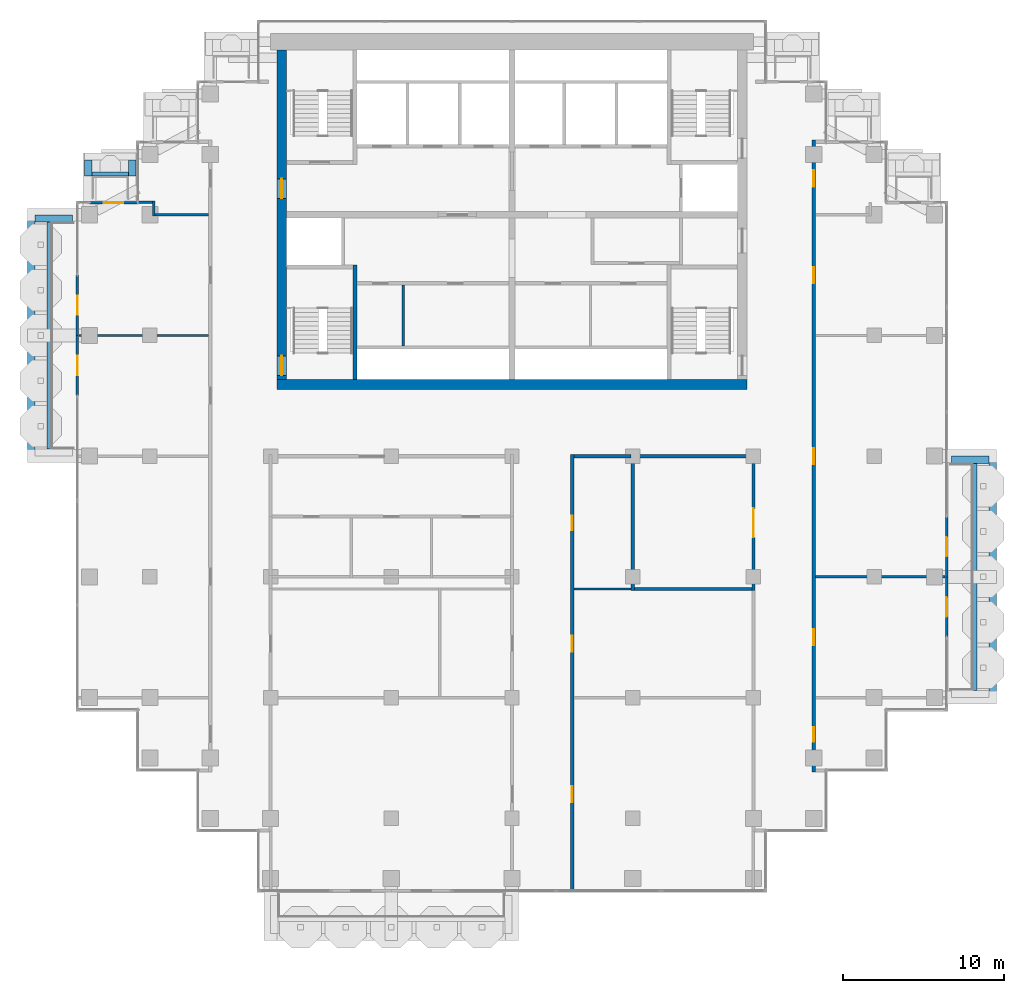
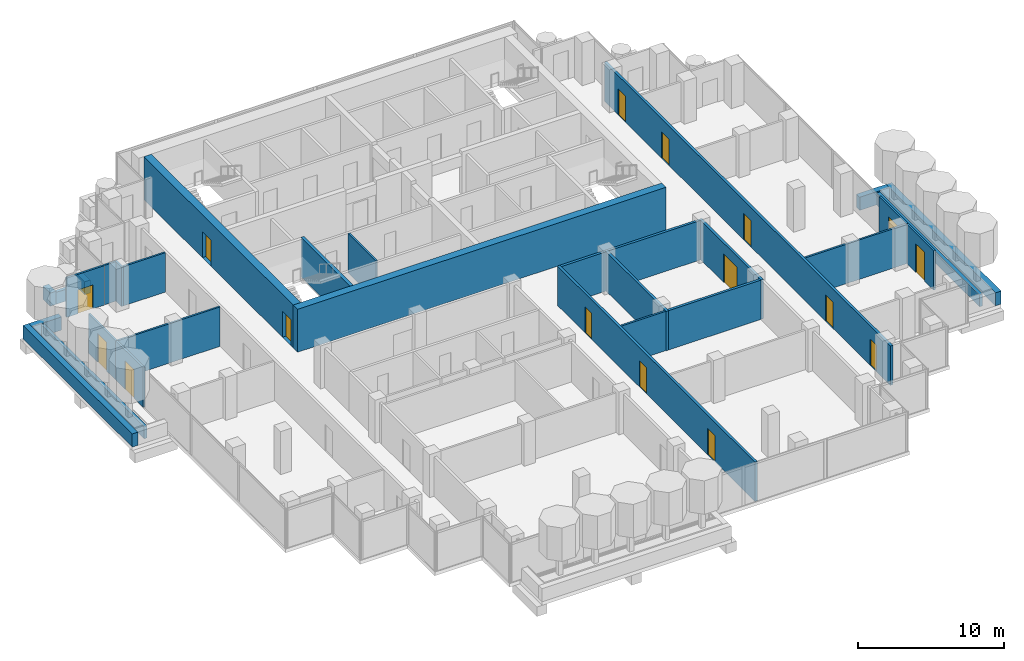
# One storey, part 12 of 18: 31 walls, 16 doors, 16 openings.
"""IFC4 building model written with IfcOpenShell, lengths in metres."""

from ifc_helpers import new_model, si_unit, direction, frame, frame_2d, origin, place, context, subcontext, project, spatial, rectangle, extrude, material, layer, layer_set, type_object, element, fill, save


model = new_model("IFC4")

# Units and contexts
model_context = context("Model", 3, precision=1e-05, world=origin(), true_north=direction((0.0, 1.0)))
body_context = subcontext(model_context, "Body", "Model", "MODEL_VIEW")
ifc_project = project(units=[si_unit("LENGTHUNIT", "METRE"), si_unit("AREAUNIT", "SQUARE_METRE"), si_unit("VOLUMEUNIT", "CUBIC_METRE"), si_unit("PLANEANGLEUNIT", "RADIAN"), si_unit("MASSUNIT", "GRAM", prefix="KILO")], contexts=[model_context])

# Site, building, storey
site_placement = place(None, origin())
site = spatial("IfcSite", under=ifc_project, at=site_placement, CompositionType="ELEMENT")
building_placement = place(site_placement, origin())
building = spatial("IfcBuilding", under=site, at=building_placement, Name="Pilkhan Gate Tower", CompositionType="ELEMENT")
storey_placement = place(building_placement, frame((0.0, 0.0, 199.5)))
storey = spatial("IfcBuildingStorey", under=building, at=storey_placement, Name="L51", CompositionType="ELEMENT", Elevation=199.5)

# Walls
ifc_material_1 = material(Name="Concrete C40/50", Category="concrete")
ifc_layer_1 = layer(ifc_material_1, 0.25)
ifc_layer_set_1 = layer_set([ifc_layer_1], Name="Balcony planter BP250")
wall_type_1 = type_object("IfcWallType", Name="Balcony planter BP250", PredefinedType="USERDEFINED", material=ifc_layer_set_1)
wall_1_placement = place(storey_placement, frame((103.77490234375, 52.949951171875, 0.0), z_axis=(0.0, 0.0, 1.0), x_axis=(0.0, 1.0, 0.0)))
element("IfcWall", 1, at=wall_1_placement, inside=storey, type_object=wall_type_1, Name="Balcony planter L51 E", ObjectType="BALCONY PLANTER", PredefinedType="USERDEFINED", context=body_context, shape_type="SweptSolid", body=[
    extrude(rectangle(XDim=14.10009765625, YDim=0.25, at=frame_2d((7.050048828125, 0.0))), origin(), (0.0, 0.0, 1.0), 1.0),
])
wall_2_placement = place(storey_placement, frame((48.89990234375, 85.02490234375, 0.0), z_axis=(0.0, 0.0, 1.0), x_axis=(1.0, 0.0, 0.0)))
element("IfcWall", 2, at=wall_2_placement, inside=storey, type_object=wall_type_1, Name="Balcony planter L51 N", ObjectType="BALCONY PLANTER", PredefinedType="USERDEFINED", context=body_context, shape_type="SweptSolid", body=[
    extrude(rectangle(XDim=2.280029296875, YDim=0.25, at=frame_2d((1.14013671875, 0.0))), origin(), (0.0, 0.0, 1.0), 1.0),
])
wall_3_placement = place(storey_placement, frame((46.22509765625, 67.949951171875, 0.0), z_axis=(0.0, 0.0, 1.0), x_axis=(0.0, 1.0, 0.0)))
element("IfcWall", 3, at=wall_3_placement, inside=storey, type_object=wall_type_1, Name="Balcony planter L51 W", ObjectType="BALCONY PLANTER", PredefinedType="USERDEFINED", context=body_context, shape_type="SweptSolid", body=[
    extrude(rectangle(XDim=14.10009765625, YDim=0.25, at=frame_2d((7.050048828125, 0.0))), origin(), (0.0, 0.0, 1.0), 1.0),
])
ifc_material_2 = material(Name="Board-marked Concrete C40/50", Category="concrete")
ifc_layer_2 = layer(ifc_material_2, 0.449951171875)
ifc_layer_set_2 = layer_set([ifc_layer_2], Name="Balcony planter lip BL450")
wall_type_2 = type_object("IfcWallType", Name="Balcony planter lip BL450", PredefinedType="USERDEFINED", material=ifc_layer_set_2)
wall_4_placement = place(storey_placement, frame((104.875, 52.5, 0.0), z_axis=(0.0, 0.0, 1.0), x_axis=(0.0, 1.0, 0.0)))
element("IfcWall", 4, at=wall_4_placement, inside=storey, type_object=wall_type_2, Name="Balcony planter L51 E", ObjectType="BALCONY PLANTER", PredefinedType="USERDEFINED", context=body_context, shape_type="SweptSolid", body=[
    extrude(rectangle(XDim=15.0, YDim=0.449951171875, at=frame_2d((7.5, 0.0))), origin(), (0.0, 0.0, 1.0), 1.10009765625),
])
wall_5_placement = place(storey_placement, frame((102.300048828125, 67.27490234375, 0.0), z_axis=(0.0, 0.0, 1.0), x_axis=(1.0, 0.0, 0.0)))
element("IfcWall", 5, at=wall_5_placement, inside=storey, type_object=wall_type_2, Name="Balcony planter L51 E", ObjectType="BALCONY PLANTER", PredefinedType="USERDEFINED", context=body_context, shape_type="SweptSolid", body=[
    extrude(rectangle(XDim=2.349853515625, YDim=0.449951171875, at=frame_2d((1.1748046875, 0.0))), origin(), (0.0, 0.0, 1.0), 1.10009765625),
])
for number, where, z_axis, x_axis, name in (
    (6, (48.675048828125, 84.89990234375, 0.0), (0.0, 0.0, 1.0), (0.0, 1.0, 0.0), "Balcony planter L51 N"),
    (7, (51.405029296875, 84.89990234375, 0.0), (0.0, 0.0, 1.0), (0.0, 1.0, 0.0), "Balcony planter L51 N"),
):
    element("IfcWall", number, at=place(storey_placement, frame(where, z_axis=z_axis, x_axis=x_axis)), inside=storey, type_object=wall_type_2, Name=name, ObjectType="BALCONY PLANTER", PredefinedType="USERDEFINED", context=body_context, shape_type="SweptSolid", body=[
        extrude(rectangle(XDim=1.0, YDim=0.449951171875, at=frame_2d((0.5, 0.0))), origin(), (0.0, 0.0, 1.0), 1.10009765625),
    ])
wall_6_placement = place(storey_placement, frame((45.125, 67.5, 0.0), z_axis=(0.0, 0.0, 1.0), x_axis=(0.0, 1.0, 0.0)))
element("IfcWall", 8, at=wall_6_placement, inside=storey, type_object=wall_type_2, Name="Balcony planter L51 W", ObjectType="BALCONY PLANTER", PredefinedType="USERDEFINED", context=body_context, shape_type="SweptSolid", body=[
    extrude(rectangle(XDim=15.0, YDim=0.449951171875, at=frame_2d((7.5, 0.0))), origin(), (0.0, 0.0, 1.0), 1.10009765625),
])
wall_7_placement = place(storey_placement, frame((47.699951171875, 82.27490234375, 0.0), z_axis=(0.0, 0.0, 1.0), x_axis=(-1.0, 0.0, 0.0)))
element("IfcWall", 9, at=wall_7_placement, inside=storey, type_object=wall_type_2, Name="Balcony planter L51 W", ObjectType="BALCONY PLANTER", PredefinedType="USERDEFINED", context=body_context, shape_type="SweptSolid", body=[
    extrude(rectangle(XDim=2.349853515625, YDim=0.449951171875, at=frame_2d((1.1748046875, 0.0))), origin(), (0.0, 0.0, 1.0), 1.10009765625),
])
ifc_material_3 = material(Name="Concrete C50/60", Category="concrete")
ifc_layer_3 = layer(ifc_material_3, 0.60009765625)
ifc_layer_set_3 = layer_set([ifc_layer_3], Name="Core wall CW600 C50/60")
wall_type_3 = type_object("IfcWallType", Name="Core wall CW600 C50/60", PredefinedType="SHEAR", material=ifc_layer_set_3)
wall_8_placement = place(storey_placement, frame((60.39990234375, 71.949951171875, 0.0), z_axis=(0.0, 0.0, 1.0), x_axis=(1.0, 0.0, 0.0)))
element("IfcWall", 10, at=wall_8_placement, inside=storey, type_object=wall_type_3, Name="Core wall S L51", PredefinedType="SHEAR", context=body_context, shape_type="SweptSolid", body=[
    extrude(rectangle(XDim=29.2001953125, YDim=0.60009765625, at=frame_2d((14.60009765625, 0.0))), origin(), (0.0, 0.0, 1.0), 3.60009765625),
])

# Wall, openings, doors
wall_9_placement = place(storey_placement, frame((60.699951171875, 92.75, 0.0), z_axis=(0.0, 0.0, 1.0), x_axis=(0.0, -1.0, 0.0)))
wall_9 = element("IfcWall", 11, at=wall_9_placement, inside=storey, type_object=wall_type_3, Name="Core wall W L51", PredefinedType="SHEAR", context=body_context, shape_type="SweptSolid", body=[
    extrude(rectangle(XDim=20.5, YDim=0.60009765625, at=frame_2d((10.25, 0.0))), origin(), (0.0, 0.0, 1.0), 3.60009765625),
])
opening_1_placement = place(wall_9_placement, frame((19.02490234375, 0.0, 0.0)))
opening_1 = element("IfcOpeningElement", 12, at=opening_1_placement, cuts=wall_9, Name="Opening L51-04", PredefinedType="OPENING", context=body_context, shape_type="SweptSolid", body=[
    extrude(rectangle(XDim=1.199951171875, YDim=2.199951171875, at=frame_2d((0.60009765625, 1.10009765625))), frame((0.0, 0.31005859375, 0.0), z_axis=(0.0, -1.0, 0.0), x_axis=(1.0, 0.0, 0.0)), (0.0, 0.0, 1.0), 0.6201171875),
])
opening_2_placement = place(wall_9_placement, frame((8.02490234375, 0.0, 0.0)))
opening_2 = element("IfcOpeningElement", 13, at=opening_2_placement, cuts=wall_9, Name="Opening L51-08", PredefinedType="OPENING", context=body_context, shape_type="SweptSolid", body=[
    extrude(rectangle(XDim=1.199951171875, YDim=2.199951171875, at=frame_2d((0.60009765625, 1.10009765625))), frame((0.0, 0.31005859375, 0.0), z_axis=(0.0, -1.0, 0.0), x_axis=(1.0, 0.0, 0.0)), (0.0, 0.0, 1.0), 0.6201171875),
])
ifc_material_4 = material(Name="Steel door, 120 minute fire resisting, self-closing", Category="steel")
door_type_1 = type_object("IfcDoorType", Name="Firefighting lobby door D10 1200x2200", OperationType="SINGLE_SWING_LEFT", PredefinedType="DOOR", material=ifc_material_4)
door_1_placement = place(opening_2_placement, origin())
door_1 = element("IfcDoor", 14, at=door_1_placement, inside=storey, type_object=door_type_1, Name="Core door", OperationType="SINGLE_SWING_LEFT", OverallHeight=2.199951171875, OverallWidth=1.199951171875, PredefinedType="DOOR", context=body_context, shape_type="SweptSolid", body=[
    extrude(rectangle(XDim=1.199951171875, YDim=2.199951171875, at=frame_2d((0.60009765625, 1.10009765625))), frame((0.0, 0.02490234375, 0.0), z_axis=(0.0, -1.0, 0.0), x_axis=(1.0, 0.0, 0.0)), (0.0, 0.0, 1.0), 0.050048828125),
])
fill(opening_2, door_1)
ifc_material_5 = material(Name="Steel door, 120 minute fire resisting, panic bar", Category="steel")
door_type_2 = type_object("IfcDoorType", Name="Stair door D11 1200x2200", OperationType="SINGLE_SWING_LEFT", PredefinedType="DOOR", material=ifc_material_5)
door_2_placement = place(opening_1_placement, origin())
door_2 = element("IfcDoor", 15, at=door_2_placement, inside=storey, type_object=door_type_2, Name="Stair ST2 door", OperationType="SINGLE_SWING_LEFT", OverallHeight=2.199951171875, OverallWidth=1.199951171875, PredefinedType="DOOR", context=body_context, shape_type="SweptSolid", body=[
    extrude(rectangle(XDim=1.199951171875, YDim=2.199951171875, at=frame_2d((0.60009765625, 1.10009765625))), frame((0.0, 0.02490234375, 0.0), z_axis=(0.0, -1.0, 0.0), x_axis=(1.0, 0.0, 0.0)), (0.0, 0.0, 1.0), 0.050048828125),
])
fill(opening_1, door_2)

# Wall
ifc_material_6 = material(Name="Dense blockwork", Category="masonry")
ifc_layer_4 = layer(ifc_material_6, 0.199951171875)
ifc_layer_set_4 = layer_set([ifc_layer_4], Name="Corridor wall FW200")
wall_type_4 = type_object("IfcWallType", Name="Corridor wall FW200", PredefinedType="PARTITIONING", material=ifc_layer_set_4)
wall_10_placement = place(storey_placement, frame((78.85009765625, 67.5, 0.0), z_axis=(0.0, 0.0, 1.0), x_axis=(1.0, 0.0, 0.0)))
element("IfcWall", 16, at=wall_10_placement, inside=storey, type_object=wall_type_4, Name="Partition L51", PredefinedType="PARTITIONING", context=body_context, shape_type="SweptSolid", body=[
    extrude(rectangle(XDim=3.5498046875, YDim=0.199951171875, at=frame_2d((1.77490234375, 0.0))), origin(), (0.0, 0.0, 1.0), 3.300048828125),
])

# Wall, openings, doors
wall_11_placement = place(storey_placement, frame((78.75, 40.485107421875, 0.0), z_axis=(0.0, 0.0, 1.0), x_axis=(0.0, 1.0, 0.0)))
wall_11 = element("IfcWall", 17, at=wall_11_placement, inside=storey, type_object=wall_type_4, Name="Partition L51", PredefinedType="PARTITIONING", context=body_context, shape_type="SweptSolid", body=[
    extrude(rectangle(XDim=27.114990234375, YDim=0.199951171875, at=frame_2d((13.5576171875, 0.0))), origin(), (0.0, 0.0, 1.0), 3.300048828125),
])
opening_3_placement = place(wall_11_placement, frame((5.5, 0.0, 0.0)))
opening_3 = element("IfcOpeningElement", 18, at=opening_3_placement, cuts=wall_11, Name="Opening L51-20", PredefinedType="OPENING", context=body_context, shape_type="SweptSolid", body=[
    extrude(rectangle(XDim=1.0, YDim=2.199951171875, at=frame_2d((0.5, 1.10009765625))), frame((0.0, 0.10986328125, 0.0), z_axis=(0.0, -1.0, 0.0), x_axis=(1.0, 0.0, 0.0)), (0.0, 0.0, 1.0), 0.219970703125),
])
opening_4_placement = place(wall_11_placement, frame((14.864990234375, 0.0, 0.0)))
opening_4 = element("IfcOpeningElement", 19, at=opening_4_placement, cuts=wall_11, Name="Opening L51-21", PredefinedType="OPENING", context=body_context, shape_type="SweptSolid", body=[
    extrude(rectangle(XDim=1.0, YDim=2.199951171875, at=frame_2d((0.5, 1.10009765625))), frame((0.0, 0.10986328125, 0.0), z_axis=(0.0, -1.0, 0.0), x_axis=(1.0, 0.0, 0.0)), (0.0, 0.0, 1.0), 0.219970703125),
])
opening_5_placement = place(wall_11_placement, frame((22.4150390625, 0.0, 0.0)))
opening_5 = element("IfcOpeningElement", 20, at=opening_5_placement, cuts=wall_11, Name="Opening L51-22", PredefinedType="OPENING", context=body_context, shape_type="SweptSolid", body=[
    extrude(rectangle(XDim=0.89990234375, YDim=2.199951171875, at=frame_2d((0.449951171875, 1.10009765625))), frame((0.0, 0.10986328125, 0.0), z_axis=(0.0, -1.0, 0.0), x_axis=(1.0, 0.0, 0.0)), (0.0, 0.0, 1.0), 0.219970703125),
])
ifc_material_7 = material(Name="Timber flush door, 30 minute fire resisting", Category="wood")
door_type_3 = type_object("IfcDoorType", Name="Room door D03 1000x2200", OperationType="SINGLE_SWING_LEFT", PredefinedType="DOOR", material=ifc_material_7)
door_3_placement = place(opening_3_placement, origin())
door_3 = element("IfcDoor", 21, at=door_3_placement, inside=storey, type_object=door_type_3, Name="Room door", OperationType="SINGLE_SWING_LEFT", OverallHeight=2.199951171875, OverallWidth=1.0, PredefinedType="DOOR", context=body_context, shape_type="SweptSolid", body=[
    extrude(rectangle(XDim=1.0, YDim=2.199951171875, at=frame_2d((0.5, 1.10009765625))), frame((0.0, 0.02490234375, 0.0), z_axis=(0.0, -1.0, 0.0), x_axis=(1.0, 0.0, 0.0)), (0.0, 0.0, 1.0), 0.050048828125),
])
fill(opening_3, door_3)
door_4_placement = place(opening_4_placement, origin())
door_4 = element("IfcDoor", 22, at=door_4_placement, inside=storey, type_object=door_type_3, Name="Room door", OperationType="SINGLE_SWING_LEFT", OverallHeight=2.199951171875, OverallWidth=1.0, PredefinedType="DOOR", context=body_context, shape_type="SweptSolid", body=[
    extrude(rectangle(XDim=1.0, YDim=2.199951171875, at=frame_2d((0.5, 1.10009765625))), frame((0.0, 0.02490234375, 0.0), z_axis=(0.0, -1.0, 0.0), x_axis=(1.0, 0.0, 0.0)), (0.0, 0.0, 1.0), 0.050048828125),
])
fill(opening_4, door_4)
ifc_material_8 = material(Name="Timber flush door, 60 minute fire resisting, self-closing", Category="wood")
door_type_4 = type_object("IfcDoorType", Name="Store door D05 900x2200", OperationType="SINGLE_SWING_LEFT", PredefinedType="DOOR", material=ifc_material_8)
door_5_placement = place(opening_5_placement, origin())
door_5 = element("IfcDoor", 23, at=door_5_placement, inside=storey, type_object=door_type_4, Name="Store door", OperationType="SINGLE_SWING_LEFT", OverallHeight=2.199951171875, OverallWidth=0.89990234375, PredefinedType="DOOR", context=body_context, shape_type="SweptSolid", body=[
    extrude(rectangle(XDim=0.89990234375, YDim=2.199951171875, at=frame_2d((0.449951171875, 1.10009765625))), frame((0.0, 0.02490234375, 0.0), z_axis=(0.0, -1.0, 0.0), x_axis=(1.0, 0.0, 0.0)), (0.0, 0.0, 1.0), 0.050048828125),
])
fill(opening_5, door_5)

wall_12_placement = place(storey_placement, frame((93.75, 47.8701171875, 0.0), z_axis=(0.0, 0.0, 1.0), x_axis=(0.0, 1.0, 0.0)))
wall_12 = element("IfcWall", 24, at=wall_12_placement, inside=storey, type_object=wall_type_4, Name="Partition L51", PredefinedType="PARTITIONING", context=body_context, shape_type="SweptSolid", body=[
    extrude(rectangle(XDim=39.259765625, YDim=0.199951171875, at=frame_2d((19.6298828125, 0.0))), origin(), (0.0, 0.0, 1.0), 3.300048828125),
])
opening_6_placement = place(wall_12_placement, frame((1.89990234375, 0.0, 0.0)))
opening_6 = element("IfcOpeningElement", 25, at=opening_6_placement, cuts=wall_12, Name="Opening L51-27", PredefinedType="OPENING", context=body_context, shape_type="SweptSolid", body=[
    extrude(rectangle(XDim=0.89990234375, YDim=2.199951171875, at=frame_2d((0.449951171875, 1.10009765625))), frame((0.0, 0.10986328125, 0.0), z_axis=(0.0, -1.0, 0.0), x_axis=(1.0, 0.0, 0.0)), (0.0, 0.0, 1.0), 0.219970703125),
])
opening_7_placement = place(wall_12_placement, frame((7.8798828125, 0.0, 0.0)))
opening_7 = element("IfcOpeningElement", 26, at=opening_7_placement, cuts=wall_12, Name="Opening L51-28", PredefinedType="OPENING", context=body_context, shape_type="SweptSolid", body=[
    extrude(rectangle(XDim=1.0, YDim=2.199951171875, at=frame_2d((0.5, 1.10009765625))), frame((0.0, 0.10986328125, 0.0), z_axis=(0.0, -1.0, 0.0), x_axis=(1.0, 0.0, 0.0)), (0.0, 0.0, 1.0), 0.219970703125),
])
opening_8_placement = place(wall_12_placement, frame((19.1298828125, 0.0, 0.0)))
opening_8 = element("IfcOpeningElement", 27, at=opening_8_placement, cuts=wall_12, Name="Opening L51-29", PredefinedType="OPENING", context=body_context, shape_type="SweptSolid", body=[
    extrude(rectangle(XDim=1.0, YDim=2.199951171875, at=frame_2d((0.5, 1.10009765625))), frame((0.0, 0.10986328125, 0.0), z_axis=(0.0, -1.0, 0.0), x_axis=(1.0, 0.0, 0.0)), (0.0, 0.0, 1.0), 0.219970703125),
])
opening_9_placement = place(wall_12_placement, frame((30.3798828125, 0.0, 0.0)))
opening_9 = element("IfcOpeningElement", 28, at=opening_9_placement, cuts=wall_12, Name="Opening L51-32", PredefinedType="OPENING", context=body_context, shape_type="SweptSolid", body=[
    extrude(rectangle(XDim=1.0, YDim=2.199951171875, at=frame_2d((0.5, 1.10009765625))), frame((0.0, 0.10986328125, 0.0), z_axis=(0.0, -1.0, 0.0), x_axis=(1.0, 0.0, 0.0)), (0.0, 0.0, 1.0), 0.219970703125),
])
opening_10_placement = place(wall_12_placement, frame((36.3798828125, 0.0, 0.0)))
opening_10 = element("IfcOpeningElement", 29, at=opening_10_placement, cuts=wall_12, Name="Opening L51-33", PredefinedType="OPENING", context=body_context, shape_type="SweptSolid", body=[
    extrude(rectangle(XDim=1.0, YDim=2.199951171875, at=frame_2d((0.5, 1.10009765625))), frame((0.0, 0.10986328125, 0.0), z_axis=(0.0, -1.0, 0.0), x_axis=(1.0, 0.0, 0.0)), (0.0, 0.0, 1.0), 0.219970703125),
])
door_6_placement = place(opening_7_placement, origin())
door_6 = element("IfcDoor", 30, at=door_6_placement, inside=storey, type_object=door_type_3, Name="Room door", OperationType="SINGLE_SWING_LEFT", OverallHeight=2.199951171875, OverallWidth=1.0, PredefinedType="DOOR", context=body_context, shape_type="SweptSolid", body=[
    extrude(rectangle(XDim=1.0, YDim=2.199951171875, at=frame_2d((0.5, 1.10009765625))), frame((0.0, 0.02490234375, 0.0), z_axis=(0.0, -1.0, 0.0), x_axis=(1.0, 0.0, 0.0)), (0.0, 0.0, 1.0), 0.050048828125),
])
fill(opening_7, door_6)
door_7_placement = place(opening_8_placement, origin())
door_7 = element("IfcDoor", 31, at=door_7_placement, inside=storey, type_object=door_type_3, Name="Room door", OperationType="SINGLE_SWING_LEFT", OverallHeight=2.199951171875, OverallWidth=1.0, PredefinedType="DOOR", context=body_context, shape_type="SweptSolid", body=[
    extrude(rectangle(XDim=1.0, YDim=2.199951171875, at=frame_2d((0.5, 1.10009765625))), frame((0.0, 0.02490234375, 0.0), z_axis=(0.0, -1.0, 0.0), x_axis=(1.0, 0.0, 0.0)), (0.0, 0.0, 1.0), 0.050048828125),
])
fill(opening_8, door_7)
door_8_placement = place(opening_9_placement, origin())
door_8 = element("IfcDoor", 32, at=door_8_placement, inside=storey, type_object=door_type_3, Name="Room door", OperationType="SINGLE_SWING_LEFT", OverallHeight=2.199951171875, OverallWidth=1.0, PredefinedType="DOOR", context=body_context, shape_type="SweptSolid", body=[
    extrude(rectangle(XDim=1.0, YDim=2.199951171875, at=frame_2d((0.5, 1.10009765625))), frame((0.0, 0.02490234375, 0.0), z_axis=(0.0, -1.0, 0.0), x_axis=(1.0, 0.0, 0.0)), (0.0, 0.0, 1.0), 0.050048828125),
])
fill(opening_9, door_8)
door_9_placement = place(opening_10_placement, origin())
door_9 = element("IfcDoor", 33, at=door_9_placement, inside=storey, type_object=door_type_3, Name="Room door", OperationType="SINGLE_SWING_RIGHT", OverallHeight=2.199951171875, OverallWidth=1.0, PredefinedType="DOOR", context=body_context, shape_type="SweptSolid", body=[
    extrude(rectangle(XDim=1.0, YDim=2.199951171875, at=frame_2d((0.5, 1.10009765625))), frame((0.0, 0.02490234375, 0.0), z_axis=(0.0, -1.0, 0.0), x_axis=(1.0, 0.0, 0.0)), (0.0, 0.0, 1.0), 0.050048828125),
])
fill(opening_10, door_9)
door_10_placement = place(opening_6_placement, origin())
door_10 = element("IfcDoor", 34, at=door_10_placement, inside=storey, type_object=door_type_4, Name="Store door", OperationType="SINGLE_SWING_RIGHT", OverallHeight=2.199951171875, OverallWidth=0.89990234375, PredefinedType="DOOR", context=body_context, shape_type="SweptSolid", body=[
    extrude(rectangle(XDim=0.89990234375, YDim=2.199951171875, at=frame_2d((0.449951171875, 1.10009765625))), frame((0.0, 0.02490234375, 0.0), z_axis=(0.0, -1.0, 0.0), x_axis=(1.0, 0.0, 0.0)), (0.0, 0.0, 1.0), 0.050048828125),
])
fill(opening_6, door_10)

# Wall, opening, door
ifc_material_9 = material(Name="Pale anodised aluminium, clear laminated glazing", Category="aluminium")
ifc_layer_5 = layer(ifc_material_9, 0.14990234375)
ifc_layer_set_5 = layer_set([ifc_layer_5], Name="Facade infill wall IW150")
wall_type_5 = type_object("IfcWallType", Name="Facade infill wall IW150", PredefinedType="SOLIDWALL", material=ifc_layer_set_5)
wall_13_placement = place(storey_placement, frame((102.0, 56.25, 0.0), z_axis=(0.0, 0.0, 1.0), x_axis=(0.0, 1.0, 0.0)))
wall_13 = element("IfcWall", 35, at=wall_13_placement, inside=storey, type_object=wall_type_5, Name="Infill wall L51 E", PredefinedType="SOLIDWALL", context=body_context, shape_type="SweptSolid", body=[
    extrude(rectangle(XDim=3.75, YDim=0.14990234375, at=frame_2d((1.875, 0.0))), origin(), (0.0, 0.0, 1.0), 3.300048828125),
])
opening_11_placement = place(wall_13_placement, frame((1.27490234375, 0.0, 0.0)))
opening_11 = element("IfcOpeningElement", 36, at=opening_11_placement, cuts=wall_13, Name="Opening D1", PredefinedType="OPENING", context=body_context, shape_type="SweptSolid", body=[
    extrude(rectangle(XDim=1.199951171875, YDim=2.39990234375, at=frame_2d((0.60009765625, 1.199951171875))), frame((0.0, 0.0849609375, 0.0), z_axis=(0.0, -1.0, 0.0), x_axis=(1.0, 0.0, 0.0)), (0.0, 0.0, 1.0), 0.169921875),
])
ifc_material_10 = material(Name="Pale anodised aluminium, clear glazing", Category="aluminium")
door_type_5 = type_object("IfcDoorType", Name="Balcony door D1 1200x2400", OperationType="SINGLE_SWING_LEFT", PredefinedType="DOOR", material=ifc_material_10)
door_11_placement = place(opening_11_placement, origin())
door_11 = element("IfcDoor", 37, at=door_11_placement, inside=storey, type_object=door_type_5, Name="Balcony door L51", OperationType="SINGLE_SWING_LEFT", OverallHeight=2.39990234375, OverallWidth=1.199951171875, PredefinedType="DOOR", context=body_context, shape_type="SweptSolid", body=[
    extrude(rectangle(XDim=1.199951171875, YDim=2.39990234375, at=frame_2d((0.60009765625, 1.199951171875))), frame((0.0, 0.02490234375, 0.0), z_axis=(0.0, -1.0, 0.0), x_axis=(1.0, 0.0, 0.0)), (0.0, 0.0, 1.0), 0.050048828125),
])
fill(opening_11, door_11)

wall_14_placement = place(storey_placement, frame((102.0, 60.0, 0.0), z_axis=(0.0, 0.0, 1.0), x_axis=(0.0, 1.0, 0.0)))
wall_14 = element("IfcWall", 38, at=wall_14_placement, inside=storey, type_object=wall_type_5, Name="Infill wall L51 E", PredefinedType="SOLIDWALL", context=body_context, shape_type="SweptSolid", body=[
    extrude(rectangle(XDim=3.75, YDim=0.14990234375, at=frame_2d((1.875, 0.0))), origin(), (0.0, 0.0, 1.0), 3.300048828125),
])
opening_12_placement = place(wall_14_placement, frame((1.27490234375, 0.0, 0.0)))
opening_12 = element("IfcOpeningElement", 39, at=opening_12_placement, cuts=wall_14, Name="Opening D1", PredefinedType="OPENING", context=body_context, shape_type="SweptSolid", body=[
    extrude(rectangle(XDim=1.199951171875, YDim=2.39990234375, at=frame_2d((0.60009765625, 1.199951171875))), frame((0.0, 0.0849609375, 0.0), z_axis=(0.0, -1.0, 0.0), x_axis=(1.0, 0.0, 0.0)), (0.0, 0.0, 1.0), 0.169921875),
])
door_12_placement = place(opening_12_placement, origin())
door_12 = element("IfcDoor", 40, at=door_12_placement, inside=storey, type_object=door_type_5, Name="Balcony door L51", OperationType="SINGLE_SWING_LEFT", OverallHeight=2.39990234375, OverallWidth=1.199951171875, PredefinedType="DOOR", context=body_context, shape_type="SweptSolid", body=[
    extrude(rectangle(XDim=1.199951171875, YDim=2.39990234375, at=frame_2d((0.60009765625, 1.199951171875))), frame((0.0, 0.02490234375, 0.0), z_axis=(0.0, -1.0, 0.0), x_axis=(1.0, 0.0, 0.0)), (0.0, 0.0, 1.0), 0.050048828125),
])
fill(opening_12, door_12)

wall_15_placement = place(storey_placement, frame((48.75, 83.25, 0.0), z_axis=(0.0, 0.0, 1.0), x_axis=(1.0, 0.0, 0.0)))
wall_15 = element("IfcWall", 41, at=wall_15_placement, inside=storey, type_object=wall_type_5, Name="Infill wall L51 N", PredefinedType="SOLIDWALL", context=body_context, shape_type="SweptSolid", body=[
    extrude(rectangle(XDim=3.0, YDim=0.14990234375, at=frame_2d((1.5, 0.0))), origin(), (0.0, 0.0, 1.0), 3.300048828125),
])
opening_13_placement = place(wall_15_placement, frame((0.89990234375, 0.0, 0.0)))
opening_13 = element("IfcOpeningElement", 42, at=opening_13_placement, cuts=wall_15, Name="Opening D1L", PredefinedType="OPENING", context=body_context, shape_type="SweptSolid", body=[
    extrude(rectangle(XDim=1.199951171875, YDim=2.0, at=frame_2d((0.60009765625, 1.0))), frame((0.0, 0.0849609375, 0.0), z_axis=(0.0, -1.0, 0.0), x_axis=(1.0, 0.0, 0.0)), (0.0, 0.0, 1.0), 0.169921875),
])
door_type_6 = type_object("IfcDoorType", Name="Balcony door D1L 1200x2000", OperationType="SINGLE_SWING_LEFT", PredefinedType="DOOR", material=ifc_material_10)
door_13_placement = place(opening_13_placement, origin())
door_13 = element("IfcDoor", 43, at=door_13_placement, inside=storey, type_object=door_type_6, Name="Balcony door L51", OperationType="SINGLE_SWING_LEFT", OverallHeight=2.0, OverallWidth=1.199951171875, PredefinedType="DOOR", context=body_context, shape_type="SweptSolid", body=[
    extrude(rectangle(XDim=1.199951171875, YDim=2.0, at=frame_2d((0.60009765625, 1.0))), frame((0.0, 0.02490234375, 0.0), z_axis=(0.0, -1.0, 0.0), x_axis=(1.0, 0.0, 0.0)), (0.0, 0.0, 1.0), 0.050048828125),
])
fill(opening_13, door_13)

wall_16_placement = place(storey_placement, frame((48.0, 71.25, 0.0), z_axis=(0.0, 0.0, 1.0), x_axis=(0.0, 1.0, 0.0)))
wall_16 = element("IfcWall", 44, at=wall_16_placement, inside=storey, type_object=wall_type_5, Name="Infill wall L51 W", PredefinedType="SOLIDWALL", context=body_context, shape_type="SweptSolid", body=[
    extrude(rectangle(XDim=3.75, YDim=0.14990234375, at=frame_2d((1.875, 0.0))), origin(), (0.0, 0.0, 1.0), 3.300048828125),
])
opening_14_placement = place(wall_16_placement, frame((1.27490234375, 0.0, 0.0)))
opening_14 = element("IfcOpeningElement", 45, at=opening_14_placement, cuts=wall_16, Name="Opening D1", PredefinedType="OPENING", context=body_context, shape_type="SweptSolid", body=[
    extrude(rectangle(XDim=1.199951171875, YDim=2.39990234375, at=frame_2d((0.60009765625, 1.199951171875))), frame((0.0, 0.0849609375, 0.0), z_axis=(0.0, -1.0, 0.0), x_axis=(1.0, 0.0, 0.0)), (0.0, 0.0, 1.0), 0.169921875),
])
door_14_placement = place(opening_14_placement, origin())
door_14 = element("IfcDoor", 46, at=door_14_placement, inside=storey, type_object=door_type_5, Name="Balcony door L51", OperationType="SINGLE_SWING_LEFT", OverallHeight=2.39990234375, OverallWidth=1.199951171875, PredefinedType="DOOR", context=body_context, shape_type="SweptSolid", body=[
    extrude(rectangle(XDim=1.199951171875, YDim=2.39990234375, at=frame_2d((0.60009765625, 1.199951171875))), frame((0.0, 0.02490234375, 0.0), z_axis=(0.0, -1.0, 0.0), x_axis=(1.0, 0.0, 0.0)), (0.0, 0.0, 1.0), 0.050048828125),
])
fill(opening_14, door_14)

wall_17_placement = place(storey_placement, frame((48.0, 75.0, 0.0), z_axis=(0.0, 0.0, 1.0), x_axis=(0.0, 1.0, 0.0)))
wall_17 = element("IfcWall", 47, at=wall_17_placement, inside=storey, type_object=wall_type_5, Name="Infill wall L51 W", PredefinedType="SOLIDWALL", context=body_context, shape_type="SweptSolid", body=[
    extrude(rectangle(XDim=3.75, YDim=0.14990234375, at=frame_2d((1.875, 0.0))), origin(), (0.0, 0.0, 1.0), 3.300048828125),
])
opening_15_placement = place(wall_17_placement, frame((1.27490234375, 0.0, 0.0)))
opening_15 = element("IfcOpeningElement", 48, at=opening_15_placement, cuts=wall_17, Name="Opening D1", PredefinedType="OPENING", context=body_context, shape_type="SweptSolid", body=[
    extrude(rectangle(XDim=1.199951171875, YDim=2.39990234375, at=frame_2d((0.60009765625, 1.199951171875))), frame((0.0, 0.0849609375, 0.0), z_axis=(0.0, -1.0, 0.0), x_axis=(1.0, 0.0, 0.0)), (0.0, 0.0, 1.0), 0.169921875),
])
door_15_placement = place(opening_15_placement, origin())
door_15 = element("IfcDoor", 49, at=door_15_placement, inside=storey, type_object=door_type_5, Name="Balcony door L51", OperationType="SINGLE_SWING_LEFT", OverallHeight=2.39990234375, OverallWidth=1.199951171875, PredefinedType="DOOR", context=body_context, shape_type="SweptSolid", body=[
    extrude(rectangle(XDim=1.199951171875, YDim=2.39990234375, at=frame_2d((0.60009765625, 1.199951171875))), frame((0.0, 0.02490234375, 0.0), z_axis=(0.0, -1.0, 0.0), x_axis=(1.0, 0.0, 0.0)), (0.0, 0.0, 1.0), 0.050048828125),
])
fill(opening_15, door_15)

# Walls
ifc_layer_6 = layer(ifc_material_6, 0.199951171875)
ifc_layer_set_6 = layer_set([ifc_layer_6], Name="Lobby wall LW200")
wall_type_6 = type_object("IfcWallType", Name="Lobby wall LW200", PredefinedType="PARTITIONING", material=ifc_layer_set_6)
for number, where, z_axis, x_axis, name in (
    (50, (82.60009765625, 59.25, 0.0), (0.0, 0.0, 1.0), (1.0, 0.0, 0.0), "Partition L51"),
    (51, (82.60009765625, 67.5, 0.0), (0.0, 0.0, 1.0), (1.0, 0.0, 0.0), "Partition L51"),
):
    element("IfcWall", number, at=place(storey_placement, frame(where, z_axis=z_axis, x_axis=x_axis)), inside=storey, type_object=wall_type_6, Name=name, PredefinedType="PARTITIONING", context=body_context, shape_type="SweptSolid", body=[
        extrude(rectangle(XDim=7.2998046875, YDim=0.199951171875, at=frame_2d((3.64990234375, 0.0))), origin(), (0.0, 0.0, 1.0), 3.300048828125),
    ])
wall_18_placement = place(storey_placement, frame((82.5, 59.14990234375, 0.0), z_axis=(0.0, 0.0, 1.0), x_axis=(0.0, 1.0, 0.0)))
element("IfcWall", 52, at=wall_18_placement, inside=storey, type_object=wall_type_6, Name="Partition L51", PredefinedType="PARTITIONING", context=body_context, shape_type="SweptSolid", body=[
    extrude(rectangle(XDim=8.4501953125, YDim=0.199951171875, at=frame_2d((4.22509765625, 0.0))), origin(), (0.0, 0.0, 1.0), 3.300048828125),
])

# Wall, opening, door
wall_19_placement = place(storey_placement, frame((90.0, 59.14990234375, 0.0), z_axis=(0.0, 0.0, 1.0), x_axis=(0.0, 1.0, 0.0)))
wall_19 = element("IfcWall", 53, at=wall_19_placement, inside=storey, type_object=wall_type_6, Name="Partition L51", PredefinedType="PARTITIONING", context=body_context, shape_type="SweptSolid", body=[
    extrude(rectangle(XDim=8.4501953125, YDim=0.199951171875, at=frame_2d((4.22509765625, 0.0))), origin(), (0.0, 0.0, 1.0), 3.300048828125),
])
opening_16_placement = place(wall_19_placement, frame((3.300048828125, 0.0, 0.0)))
opening_16 = element("IfcOpeningElement", 54, at=opening_16_placement, cuts=wall_19, Name="Opening L51-23", PredefinedType="OPENING", context=body_context, shape_type="SweptSolid", body=[
    extrude(rectangle(XDim=1.800048828125, YDim=2.39990234375, at=frame_2d((0.89990234375, 1.199951171875))), frame((0.0, 0.10986328125, 0.0), z_axis=(0.0, -1.0, 0.0), x_axis=(1.0, 0.0, 0.0)), (0.0, 0.0, 1.0), 0.219970703125),
])
ifc_material_11 = material(Name="Steel door, 120 minute fire resisting", Category="steel")
door_type_7 = type_object("IfcDoorType", Name="Plant room door D08 1800x2400", OperationType="DOUBLE_DOOR_SINGLE_SWING", PredefinedType="DOOR", material=ifc_material_11)
door_16_placement = place(opening_16_placement, origin())
door_16 = element("IfcDoor", 55, at=door_16_placement, inside=storey, type_object=door_type_7, Name="Plant room door", OperationType="DOUBLE_DOOR_SINGLE_SWING", OverallHeight=2.39990234375, OverallWidth=1.800048828125, PredefinedType="DOOR", context=body_context, shape_type="SweptSolid", body=[
    extrude(rectangle(XDim=1.800048828125, YDim=2.39990234375, at=frame_2d((0.89990234375, 1.199951171875))), frame((0.0, 0.02490234375, 0.0), z_axis=(0.0, -1.0, 0.0), x_axis=(1.0, 0.0, 0.0)), (0.0, 0.0, 1.0), 0.050048828125),
])
fill(opening_16, door_16)

# Walls
ifc_material_12 = material(Name="Blockwork partition, plastered both sides", Category="masonry")
ifc_layer_7 = layer(ifc_material_12, 0.14990234375)
ifc_layer_set_7 = layer_set([ifc_layer_7], Name="Partition PW150")
wall_type_7 = type_object("IfcWallType", Name="Partition PW150", PredefinedType="PARTITIONING", material=ifc_layer_set_7)
wall_20_placement = place(storey_placement, frame((78.85009765625, 59.25, 0.0), z_axis=(0.0, 0.0, 1.0), x_axis=(1.0, 0.0, 0.0)))
element("IfcWall", 56, at=wall_20_placement, inside=storey, type_object=wall_type_7, Name="Partition L51", PredefinedType="PARTITIONING", context=body_context, shape_type="SweptSolid", body=[
    extrude(rectangle(XDim=3.5498046875, YDim=0.14990234375, at=frame_2d((1.77490234375, 0.0))), origin(), (0.0, 0.0, 1.0), 3.300048828125),
])
for number, where, z_axis, x_axis, name in (
    (57, (93.85009765625, 60.0, 0.0), (0.0, 0.0, 1.0), (1.0, 0.0, 0.0), "Partition L51"),
    (58, (48.0849609375, 75.0, 0.0), (0.0, 0.0, 1.0), (1.0, 0.0, 0.0), "Partition L51"),
):
    element("IfcWall", number, at=place(storey_placement, frame(where, z_axis=z_axis, x_axis=x_axis)), inside=storey, type_object=wall_type_7, Name=name, PredefinedType="PARTITIONING", context=body_context, shape_type="SweptSolid", body=[
        extrude(rectangle(XDim=8.06494140625, YDim=0.14990234375, at=frame_2d((4.032470703125, 0.0))), origin(), (0.0, 0.0, 1.0), 3.300048828125),
    ])
wall_21_placement = place(storey_placement, frame((52.81005859375, 82.5, 0.0), z_axis=(0.0, 0.0, 1.0), x_axis=(1.0, 0.0, 0.0)))
element("IfcWall", 59, at=wall_21_placement, inside=storey, type_object=wall_type_7, Name="Partition L51", PredefinedType="PARTITIONING", context=body_context, shape_type="SweptSolid", body=[
    extrude(rectangle(XDim=3.33984375, YDim=0.14990234375, at=frame_2d((1.669921875, 0.0))), origin(), (0.0, 0.0, 1.0), 3.300048828125),
])
wall_22_placement = place(storey_placement, frame((51.760009765625, 83.264892578125, 0.0), z_axis=(0.0, 0.0, 1.0), x_axis=(1.0, 0.0, 0.0)))
element("IfcWall", 60, at=wall_22_placement, inside=storey, type_object=wall_type_7, Name="Partition L51", PredefinedType="PARTITIONING", context=body_context, shape_type="SweptSolid", body=[
    extrude(rectangle(XDim=0.89990234375, YDim=0.14990234375, at=frame_2d((0.449951171875, 0.0))), origin(), (0.0, 0.0, 1.0), 3.300048828125),
])
wall_23_placement = place(storey_placement, frame((52.735107421875, 82.425048828125, 0.0), z_axis=(0.0, 0.0, 1.0), x_axis=(0.0, 1.0, 0.0)))
element("IfcWall", 61, at=wall_23_placement, inside=storey, type_object=wall_type_7, Name="Partition L51", PredefinedType="PARTITIONING", context=body_context, shape_type="SweptSolid", body=[
    extrude(rectangle(XDim=0.9150390625, YDim=0.14990234375, at=frame_2d((0.45751953125, 0.0))), origin(), (0.0, 0.0, 1.0), 3.300048828125),
])
wall_24_placement = place(storey_placement, frame((68.239990234375, 74.35009765625, 0.0), z_axis=(0.0, 0.0, 1.0), x_axis=(0.0, 1.0, 0.0)))
element("IfcWall", 62, at=wall_24_placement, inside=storey, type_object=wall_type_7, Name="Partition L51", PredefinedType="PARTITIONING", context=body_context, shape_type="SweptSolid", body=[
    extrude(rectangle(XDim=3.7998046875, YDim=0.14990234375, at=frame_2d((1.89990234375, 0.0))), origin(), (0.0, 0.0, 1.0), 3.300048828125),
])
ifc_material_13 = material(Name="Reinforced blockwork, 120 minute fire resisting", Category="masonry")
ifc_layer_8 = layer(ifc_material_13, 0.25)
ifc_layer_set_8 = layer_set([ifc_layer_8], Name="Stair enclosure wall SE250")
wall_type_8 = type_object("IfcWallType", Name="Stair enclosure wall SE250", PredefinedType="PARTITIONING", material=ifc_layer_set_8)
wall_25_placement = place(storey_placement, frame((65.25, 72.260009765625, 0.0), z_axis=(0.0, 0.0, 1.0), x_axis=(0.0, 1.0, 0.0)))
element("IfcWall", 63, at=wall_25_placement, inside=storey, type_object=wall_type_8, Name="Partition L51", PredefinedType="PARTITIONING", context=body_context, shape_type="SweptSolid", body=[
    extrude(rectangle(XDim=7.114990234375, YDim=0.25, at=frame_2d((3.5576171875, 0.0))), origin(), (0.0, 0.0, 1.0), 3.300048828125),
])

save(model, "model.ifc")
